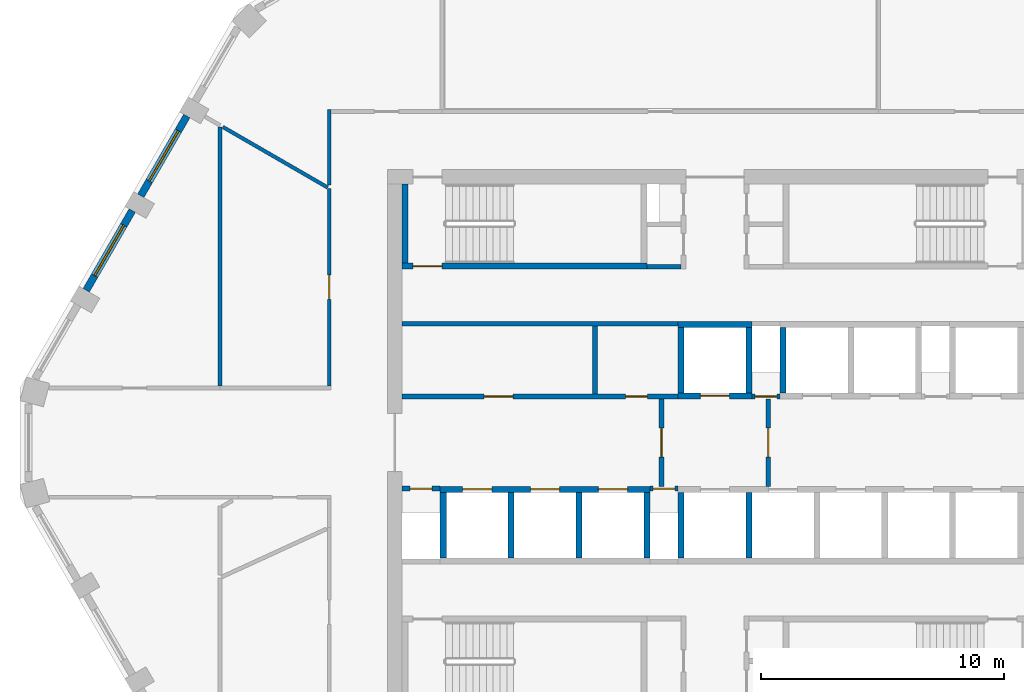
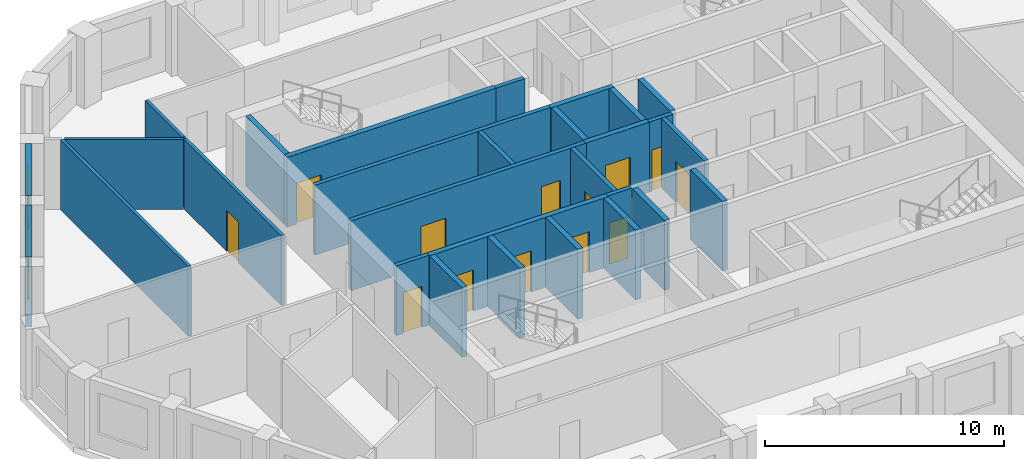
# One storey, part 3 of 10: 29 walls, 13 doors, 2 windows, 15 openings.
"""IFC4 building model written with IfcOpenShell, lengths in metres."""

from ifc_helpers import new_model, si_unit, direction, frame, frame_2d, origin, place, context, subcontext, project, spatial, polyline, rectangle, outline, extrude, material, layer, layer_set, type_object, element, fill, save


model = new_model("IFC4")

# Units and contexts
model_context = context("Model", 3, precision=1e-05, world=origin(), true_north=direction((0.0, 1.0)))
body_context = subcontext(model_context, "Body", "Model", "MODEL_VIEW")
ifc_project = project(units=[si_unit("LENGTHUNIT", "METRE"), si_unit("AREAUNIT", "SQUARE_METRE"), si_unit("VOLUMEUNIT", "CUBIC_METRE"), si_unit("PLANEANGLEUNIT", "RADIAN"), si_unit("MASSUNIT", "GRAM", prefix="KILO")], contexts=[model_context])

# Site, building, storey
site_placement = place(None, origin())
site = spatial("IfcSite", under=ifc_project, at=site_placement, CompositionType="ELEMENT")
building_placement = place(site_placement, origin())
building = spatial("IfcBuilding", under=site, at=building_placement, Name="Dhurran Vertical Campus", CompositionType="ELEMENT")
storey_placement = place(building_placement, frame((0.0, 0.0, 239.10009765625)))
storey = spatial("IfcBuildingStorey", under=building, at=storey_placement, Name="L59", CompositionType="ELEMENT", Elevation=239.10009765625)

# Wall, opening, window
ifc_material_1 = material(Name="Precast concrete C50/60", Category="concrete")
ifc_layer_1 = layer(ifc_material_1, 0.300048828125)
ifc_layer_set_1 = layer_set([ifc_layer_1], Name="Precast concrete C50/60")
wall_type_1 = type_object("IfcWallType", Name="Precast spandrel wall 300", PredefinedType="SOLIDWALL", material=ifc_layer_set_1)
wall_1_placement = place(storey_placement, frame((-21.769287109375, 13.462890625, 0.0), z_axis=(0.0, 0.0, 1.0), x_axis=(-0.499982058975, -0.866035761792, 0.0)))
wall_1 = element("IfcWall", 1, at=wall_1_placement, inside=storey, type_object=wall_type_1, Name="EW1 L59.27", PredefinedType="SOLIDWALL", context=body_context, shape_type="SweptSolid", body=[
    extrude(rectangle(XDim=3.799072265625, YDim=0.300048828125, at=frame_2d((1.8994140625, 0.0))), origin(), (0.0, 0.0, 1.0), 3.574951171875),
])
opening_1_placement = place(wall_1_placement, frame((0.699462890625, 0.0, 0.89990234375)))
opening_1 = element("IfcOpeningElement", 2, at=opening_1_placement, cuts=wall_1, Name="Opening WT1", PredefinedType="OPENING", context=body_context, shape_type="SweptSolid", body=[
    extrude(rectangle(XDim=2.39990234375, YDim=2.10009765625, at=frame_2d((1.199951171875, 1.050048828125))), frame((0.0, 0.159912109375, 0.0), z_axis=(0.0, -1.0, 0.0), x_axis=(1.0, 0.0, 0.0)), (0.0, 0.0, 1.0), 0.320068359375),
])
ifc_material_2 = material(Name="Aluminium frame with solar-control glass", Category="aluminium")
window_type = type_object("IfcWindowType", Name="Punched window 2400 x 2100", PartitioningType="SINGLE_PANEL", PredefinedType="WINDOW", material=ifc_material_2)
window_1_placement = place(opening_1_placement, origin())
window_1 = element("IfcWindow", 3, at=window_1_placement, inside=storey, type_object=window_type, Name="WT1 L59.27", OverallHeight=2.10009765625, OverallWidth=2.39990234375, PartitioningType="SINGLE_PANEL", PredefinedType="WINDOW", context=body_context, shape_type="SweptSolid", body=[
    extrude(rectangle(XDim=2.39990234375, YDim=2.10009765625, at=frame_2d((1.199951171875, 1.050048828125))), frame((0.0, 0.030029296875, 0.0), z_axis=(0.0, -1.0, 0.0), x_axis=(1.0, 0.0, 0.0)), (0.0, 0.0, 1.0), 0.06005859375),
])
fill(opening_1, window_1)

wall_2_placement = place(storey_placement, frame((-24.019287109375, 9.565673828125, 0.0), z_axis=(0.0, 0.0, 1.0), x_axis=(-0.499982058975, -0.866035761792, 0.0)))
wall_2 = element("IfcWall", 4, at=wall_2_placement, inside=storey, type_object=wall_type_1, Name="EW1 L59.28", PredefinedType="SOLIDWALL", context=body_context, shape_type="SweptSolid", body=[
    extrude(rectangle(XDim=3.799072265625, YDim=0.300048828125, at=frame_2d((1.8994140625, 0.0))), origin(), (0.0, 0.0, 1.0), 3.574951171875),
])
opening_2_placement = place(wall_2_placement, frame((0.699462890625, 0.0, 0.89990234375)))
opening_2 = element("IfcOpeningElement", 5, at=opening_2_placement, cuts=wall_2, Name="Opening WT1", PredefinedType="OPENING", context=body_context, shape_type="SweptSolid", body=[
    extrude(rectangle(XDim=2.39990234375, YDim=2.10009765625, at=frame_2d((1.199951171875, 1.050048828125))), frame((0.0, 0.159912109375, 0.0), z_axis=(0.0, -1.0, 0.0), x_axis=(1.0, 0.0, 0.0)), (0.0, 0.0, 1.0), 0.320068359375),
])
window_2_placement = place(opening_2_placement, origin())
window_2 = element("IfcWindow", 6, at=window_2_placement, inside=storey, type_object=window_type, Name="WT1 L59.28", OverallHeight=2.10009765625, OverallWidth=2.39990234375, PartitioningType="SINGLE_PANEL", PredefinedType="WINDOW", context=body_context, shape_type="SweptSolid", body=[
    extrude(rectangle(XDim=2.39990234375, YDim=2.10009765625, at=frame_2d((1.199951171875, 1.050048828125))), frame((0.0, 0.030029296875, 0.0), z_axis=(0.0, -1.0, 0.0), x_axis=(1.0, 0.0, 0.0)), (0.0, 0.0, 1.0), 0.06005859375),
])
fill(opening_2, window_2)

# Wall, opening, door
ifc_material_3 = material(Name="Fire-rated masonry blockwork", Category="masonry")
ifc_layer_2 = layer(ifc_material_3, 0.199951171875)
ifc_layer_set_2 = layer_set([ifc_layer_2], Name="Fire-rated masonry blockwork")
wall_type_2 = type_object("IfcWallType", Name="co-FIRE-PARTITION-200", PredefinedType="PARTITIONING", material=ifc_layer_set_2)
wall_3_placement = place(storey_placement, frame((-2.199951171875, -1.800048828125, 0.0), z_axis=(0.0, 0.0, 1.0), x_axis=(0.0, 1.0, 0.0)))
wall_3 = element("IfcWall", 7, at=wall_3_placement, inside=storey, type_object=wall_type_2, Name="Firefighting lobby wall W L59", PredefinedType="PARTITIONING", context=body_context, shape_type="SweptSolid", body=[
    extrude(rectangle(XDim=3.60009765625, YDim=0.199951171875, at=frame_2d((1.800048828125, 0.0))), origin(), (0.0, 0.0, 1.0), 3.574951171875),
])
opening_3_placement = place(wall_3_placement, frame((1.199951171875, 0.0, 0.0)))
opening_3 = element("IfcOpeningElement", 8, at=opening_3_placement, cuts=wall_3, Name="Opening FL1", PredefinedType="OPENING", context=body_context, shape_type="SweptSolid", body=[
    extrude(rectangle(XDim=1.199951171875, YDim=2.10009765625, at=frame_2d((0.60009765625, 1.050048828125))), frame((0.0, 0.10986328125, 0.0), z_axis=(0.0, -1.0, 0.0), x_axis=(1.0, 0.0, 0.0)), (0.0, 0.0, 1.0), 0.219970703125),
])
ifc_material_4 = material(Name="Fire-rated steel door set", Category="steel")
door_type_1 = type_object("IfcDoorType", Name="co-D-FFLOBBY 1200x2100", OperationType="SINGLE_SWING_LEFT", PredefinedType="DOOR", material=ifc_material_4)
door_1_placement = place(opening_3_placement, origin())
door_1 = element("IfcDoor", 9, at=door_1_placement, inside=storey, type_object=door_type_1, Name="Firefighting lobby door W L59", OperationType="SINGLE_SWING_LEFT", OverallHeight=2.10009765625, OverallWidth=1.199951171875, PredefinedType="DOOR", context=body_context, shape_type="SweptSolid", body=[
    extrude(rectangle(XDim=1.199951171875, YDim=2.10009765625, at=frame_2d((0.60009765625, 1.050048828125))), frame((0.0, 0.02490234375, 0.0), z_axis=(0.0, -1.0, 0.0), x_axis=(1.0, 0.0, 0.0)), (0.0, 0.0, 1.0), 0.050048828125),
])
fill(opening_3, door_1)

wall_4_placement = place(storey_placement, frame((2.199951171875, -1.800048828125, 0.0), z_axis=(0.0, 0.0, 1.0), x_axis=(0.0, 1.0, 0.0)))
wall_4 = element("IfcWall", 10, at=wall_4_placement, inside=storey, type_object=wall_type_2, Name="Firefighting lobby wall E L59", PredefinedType="PARTITIONING", context=body_context, shape_type="SweptSolid", body=[
    extrude(rectangle(XDim=3.60009765625, YDim=0.199951171875, at=frame_2d((1.800048828125, 0.0))), origin(), (0.0, 0.0, 1.0), 3.574951171875),
])
opening_4_placement = place(wall_4_placement, frame((1.199951171875, 0.0, 0.0)))
opening_4 = element("IfcOpeningElement", 11, at=opening_4_placement, cuts=wall_4, Name="Opening FL2", PredefinedType="OPENING", context=body_context, shape_type="SweptSolid", body=[
    extrude(rectangle(XDim=1.199951171875, YDim=2.10009765625, at=frame_2d((0.60009765625, 1.050048828125))), frame((0.0, 0.10986328125, 0.0), z_axis=(0.0, -1.0, 0.0), x_axis=(1.0, 0.0, 0.0)), (0.0, 0.0, 1.0), 0.219970703125),
])
door_2_placement = place(opening_4_placement, origin())
door_2 = element("IfcDoor", 12, at=door_2_placement, inside=storey, type_object=door_type_1, Name="Firefighting lobby door E L59", OperationType="SINGLE_SWING_LEFT", OverallHeight=2.10009765625, OverallWidth=1.199951171875, PredefinedType="DOOR", context=body_context, shape_type="SweptSolid", body=[
    extrude(rectangle(XDim=1.199951171875, YDim=2.10009765625, at=frame_2d((0.60009765625, 1.050048828125))), frame((0.0, 0.02490234375, 0.0), z_axis=(0.0, -1.0, 0.0), x_axis=(1.0, 0.0, 0.0)), (0.0, 0.0, 1.0), 0.050048828125),
])
fill(opening_4, door_2)

# Walls
wall_5_placement = place(storey_placement, frame((-2.800048828125, 7.25, 0.0), z_axis=(0.0, 0.0, 1.0), x_axis=(1.0, 0.0, 0.0)))
element("IfcWall", 13, at=wall_5_placement, inside=storey, type_object=wall_type_2, Name="Core partition sl-NW-S L59", PredefinedType="PARTITIONING", context=body_context, shape_type="SweptSolid", body=[
    extrude(rectangle(XDim=1.400146484375, YDim=0.199951171875, at=frame_2d((0.7001953125, 0.0))), origin(), (0.0, 0.0, 1.0), 3.574951171875),
])
wall_6_placement = place(storey_placement, frame((-4.9375, 2.0, 0.0), z_axis=(0.0, 0.0, 1.0), x_axis=(0.0, 1.0, 0.0)))
element("IfcWall", 14, at=wall_6_placement, inside=storey, type_object=wall_type_2, Name="Core partition fr-N0-cut0 L59", PredefinedType="PARTITIONING", context=body_context, shape_type="SweptSolid", body=[
    extrude(rectangle(XDim=2.800048828125, YDim=0.199951171875, at=frame_2d((1.39990234375, 0.0))), origin(), (0.0, 0.0, 1.0), 3.574951171875),
])

# Wall, openings, doors
wall_7_placement = place(storey_placement, frame((-12.89990234375, 1.89990234375, 0.0), z_axis=(0.0, 0.0, 1.0), x_axis=(1.0, 0.0, 0.0)))
wall_7 = element("IfcWall", 15, at=wall_7_placement, inside=storey, type_object=wall_type_2, Name="Core partition fr-N0-f L59", PredefinedType="PARTITIONING", context=body_context, shape_type="SweptSolid", body=[
    extrude(rectangle(XDim=11.375, YDim=0.199951171875, at=frame_2d((5.6875, 0.0))), origin(), (0.0, 0.0, 1.0), 3.574951171875),
])
opening_5_placement = place(wall_7_placement, frame((3.381103515625, 0.0, 0.0)))
opening_5 = element("IfcOpeningElement", 16, at=opening_5_placement, cuts=wall_7, Name="Opening T17-C8", PredefinedType="OPENING", context=body_context, shape_type="SweptSolid", body=[
    extrude(rectangle(XDim=1.199951171875, YDim=2.10009765625, at=frame_2d((0.60009765625, 1.050048828125))), frame((0.0, 0.10986328125, 0.0), z_axis=(0.0, -1.0, 0.0), x_axis=(1.0, 0.0, 0.0)), (0.0, 0.0, 1.0), 0.219970703125),
])
opening_6_placement = place(wall_7_placement, frame((9.21875, 0.0, 0.0)))
opening_6 = element("IfcOpeningElement", 17, at=opening_6_placement, cuts=wall_7, Name="Opening T17-C9", PredefinedType="OPENING", context=body_context, shape_type="SweptSolid", body=[
    extrude(rectangle(XDim=0.89990234375, YDim=2.10009765625, at=frame_2d((0.449951171875, 1.050048828125))), frame((0.0, 0.10986328125, 0.0), z_axis=(0.0, -1.0, 0.0), x_axis=(1.0, 0.0, 0.0)), (0.0, 0.0, 1.0), 0.219970703125),
])
ifc_material_5 = material(Name="Fire-rated timber door set", Category="wood")
door_type_2 = type_object("IfcDoorType", Name="co-D-ROOM 900x2100", OperationType="SINGLE_SWING_LEFT", PredefinedType="DOOR", material=ifc_material_5)
door_3_placement = place(opening_6_placement, origin())
door_3 = element("IfcDoor", 18, at=door_3_placement, inside=storey, type_object=door_type_2, Name="Cleaner's store door L59", OperationType="SINGLE_SWING_LEFT", OverallHeight=2.10009765625, OverallWidth=0.89990234375, PredefinedType="DOOR", context=body_context, shape_type="SweptSolid", body=[
    extrude(rectangle(XDim=0.89990234375, YDim=2.10009765625, at=frame_2d((0.449951171875, 1.050048828125))), frame((0.0, 0.02490234375, 0.0), z_axis=(0.0, -1.0, 0.0), x_axis=(1.0, 0.0, 0.0)), (0.0, 0.0, 1.0), 0.050048828125),
])
fill(opening_6, door_3)
ifc_material_6 = material(Name="Fire-rated steel door set", Category="steel")
door_type_3 = type_object("IfcDoorType", Name="co-D-ROOM-PASSAGE 1200x2100", OperationType="SINGLE_SWING_RIGHT", PredefinedType="DOOR", material=ifc_material_6)
door_4_placement = place(opening_5_placement, origin())
door_4 = element("IfcDoor", 19, at=door_4_placement, inside=storey, type_object=door_type_3, Name="Print room door L59", OperationType="SINGLE_SWING_RIGHT", OverallHeight=2.10009765625, OverallWidth=1.199951171875, PredefinedType="DOOR", context=body_context, shape_type="SweptSolid", body=[
    extrude(rectangle(XDim=1.199951171875, YDim=2.10009765625, at=frame_2d((0.60009765625, 1.050048828125))), frame((0.0, 0.02490234375, 0.0), z_axis=(0.0, -1.0, 0.0), x_axis=(1.0, 0.0, 0.0)), (0.0, 0.0, 1.0), 0.050048828125),
])
fill(opening_5, door_4)

# Wall
wall_8_placement = place(storey_placement, frame((-12.89990234375, 4.89990234375, 0.0), z_axis=(0.0, 0.0, 1.0), x_axis=(1.0, 0.0, 0.0)))
element("IfcWall", 20, at=wall_8_placement, inside=storey, type_object=wall_type_2, Name="Core partition fr-N0-b L59", PredefinedType="PARTITIONING", context=body_context, shape_type="SweptSolid", body=[
    extrude(rectangle(XDim=11.375, YDim=0.199951171875, at=frame_2d((5.6875, 0.0))), origin(), (0.0, 0.0, 1.0), 3.574951171875),
])

# Wall, opening, door
wall_9_placement = place(storey_placement, frame((1.52490234375, 1.89990234375, 0.0), z_axis=(0.0, 0.0, 1.0), x_axis=(1.0, 0.0, 0.0)))
wall_9 = element("IfcWall", 21, at=wall_9_placement, inside=storey, type_object=wall_type_2, Name="Core partition fr-N1-f L59", PredefinedType="PARTITIONING", context=body_context, shape_type="SweptSolid", body=[
    extrude(rectangle(XDim=1.150146484375, YDim=0.199951171875, at=frame_2d((0.5751953125, 0.0))), origin(), (0.0, 0.0, 1.0), 3.574951171875),
])
opening_7_placement = place(wall_9_placement, frame((0.125, 0.0, 0.0)))
opening_7 = element("IfcOpeningElement", 22, at=opening_7_placement, cuts=wall_9, Name="Opening T17-C10", PredefinedType="OPENING", context=body_context, shape_type="SweptSolid", body=[
    extrude(rectangle(XDim=0.89990234375, YDim=2.10009765625, at=frame_2d((0.449951171875, 1.050048828125))), frame((0.0, 0.10986328125, 0.0), z_axis=(0.0, -1.0, 0.0), x_axis=(1.0, 0.0, 0.0)), (0.0, 0.0, 1.0), 0.219970703125),
])
door_5_placement = place(opening_7_placement, origin())
door_5 = element("IfcDoor", 23, at=door_5_placement, inside=storey, type_object=door_type_2, Name="Communications riser door L59", OperationType="SINGLE_SWING_LEFT", OverallHeight=2.10009765625, OverallWidth=0.89990234375, PredefinedType="DOOR", context=body_context, shape_type="SweptSolid", body=[
    extrude(rectangle(XDim=0.89990234375, YDim=2.10009765625, at=frame_2d((0.449951171875, 1.050048828125))), frame((0.0, 0.02490234375, 0.0), z_axis=(0.0, -1.0, 0.0), x_axis=(1.0, 0.0, 0.0)), (0.0, 0.0, 1.0), 0.050048828125),
])
fill(opening_7, door_5)

wall_10_placement = place(storey_placement, frame((-12.89990234375, -1.89990234375, 0.0), z_axis=(0.0, 0.0, 1.0), x_axis=(1.0, 0.0, 0.0)))
wall_10 = element("IfcWall", 24, at=wall_10_placement, inside=storey, type_object=wall_type_2, Name="Core partition fr-S0-f L59", PredefinedType="PARTITIONING", context=body_context, shape_type="SweptSolid", body=[
    extrude(rectangle(XDim=1.574951171875, YDim=0.199951171875, at=frame_2d((0.78759765625, 0.0))), origin(), (0.0, 0.0, 1.0), 3.574951171875),
])
opening_8_placement = place(wall_10_placement, frame((0.33740234375, 0.0, 0.0)))
opening_8 = element("IfcOpeningElement", 25, at=opening_8_placement, cuts=wall_10, Name="Opening T17-C12", PredefinedType="OPENING", context=body_context, shape_type="SweptSolid", body=[
    extrude(rectangle(XDim=0.89990234375, YDim=2.10009765625, at=frame_2d((0.449951171875, 1.050048828125))), frame((0.0, 0.10986328125, 0.0), z_axis=(0.0, -1.0, 0.0), x_axis=(1.0, 0.0, 0.0)), (0.0, 0.0, 1.0), 0.219970703125),
])
door_6_placement = place(opening_8_placement, origin())
door_6 = element("IfcDoor", 26, at=door_6_placement, inside=storey, type_object=door_type_2, Name="Electrical riser door L59", OperationType="SINGLE_SWING_LEFT", OverallHeight=2.10009765625, OverallWidth=0.89990234375, PredefinedType="DOOR", context=body_context, shape_type="SweptSolid", body=[
    extrude(rectangle(XDim=0.89990234375, YDim=2.10009765625, at=frame_2d((0.449951171875, 1.050048828125))), frame((0.0, 0.02490234375, 0.0), z_axis=(0.0, -1.0, 0.0), x_axis=(1.0, 0.0, 0.0)), (0.0, 0.0, 1.0), 0.050048828125),
])
fill(opening_8, door_6)

wall_11_placement = place(storey_placement, frame((-2.675048828125, -1.89990234375, 0.0), z_axis=(0.0, 0.0, 1.0), x_axis=(1.0, 0.0, 0.0)))
wall_11 = element("IfcWall", 27, at=wall_11_placement, inside=storey, type_object=wall_type_2, Name="Core partition fr-S1-f L59", PredefinedType="PARTITIONING", context=body_context, shape_type="SweptSolid", body=[
    extrude(rectangle(XDim=1.150146484375, YDim=0.199951171875, at=frame_2d((0.5751953125, 0.0))), origin(), (0.0, 0.0, 1.0), 3.574951171875),
])
opening_9_placement = place(wall_11_placement, frame((0.125, 0.0, 0.0)))
opening_9 = element("IfcOpeningElement", 28, at=opening_9_placement, cuts=wall_11, Name="Opening T17-C13", PredefinedType="OPENING", context=body_context, shape_type="SweptSolid", body=[
    extrude(rectangle(XDim=0.89990234375, YDim=2.10009765625, at=frame_2d((0.449951171875, 1.050048828125))), frame((0.0, 0.10986328125, 0.0), z_axis=(0.0, -1.0, 0.0), x_axis=(1.0, 0.0, 0.0)), (0.0, 0.0, 1.0), 0.219970703125),
])
door_7_placement = place(opening_9_placement, origin())
door_7 = element("IfcDoor", 29, at=door_7_placement, inside=storey, type_object=door_type_2, Name="Communications riser door L59", OperationType="SINGLE_SWING_LEFT", OverallHeight=2.10009765625, OverallWidth=0.89990234375, PredefinedType="DOOR", context=body_context, shape_type="SweptSolid", body=[
    extrude(rectangle(XDim=0.89990234375, YDim=2.10009765625, at=frame_2d((0.449951171875, 1.050048828125))), frame((0.0, 0.02490234375, 0.0), z_axis=(0.0, -1.0, 0.0), x_axis=(1.0, 0.0, 0.0)), (0.0, 0.0, 1.0), 0.050048828125),
])
fill(opening_9, door_7)

ifc_material_7 = material(Name="Concrete C50/60", Category="concrete")
ifc_layer_3 = layer(ifc_material_7, 0.25)
ifc_layer_set_3 = layer_set([ifc_layer_3], Name="Concrete C50/60")
wall_type_3 = type_object("IfcWallType", Name="co-SHAFT-FRONT-250", PredefinedType="SHEAR", material=ifc_layer_set_3)
wall_12_placement = place(storey_placement, frame((-1.52490234375, 1.925048828125, 0.0), z_axis=(0.0, 0.0, 1.0), x_axis=(1.0, 0.0, 0.0)))
wall_12 = element("IfcWall", 30, at=wall_12_placement, inside=storey, type_object=wall_type_3, Name="Lift landing wall N L59", PredefinedType="SHEAR", context=body_context, shape_type="SweptSolid", body=[
    extrude(rectangle(XDim=3.0498046875, YDim=0.25, at=frame_2d((1.52490234375, 0.0))), origin(), (0.0, 0.0, 1.0), 3.574951171875),
])
opening_10_placement = place(wall_12_placement, frame((0.925048828125, 0.0, 0.0)))
opening_10 = element("IfcOpeningElement", 31, at=opening_10_placement, cuts=wall_12, Name="Opening LD", PredefinedType="OPENING", context=body_context, shape_type="SweptSolid", body=[
    extrude(rectangle(XDim=1.199951171875, YDim=2.10009765625, at=frame_2d((0.60009765625, 1.050048828125))), frame((0.0, 0.135009765625, 0.0), z_axis=(0.0, -1.0, 0.0), x_axis=(1.0, 0.0, 0.0)), (0.0, 0.0, 1.0), 0.27001953125),
])
ifc_material_8 = material(Name="Stainless steel landing door", Category="steel")
door_type_4 = type_object("IfcDoorType", Name="co-D-LANDING 1200x2100", OperationType="DOUBLE_DOOR_SLIDING", PredefinedType="DOOR", material=ifc_material_8)
door_8_placement = place(opening_10_placement, origin())
door_8 = element("IfcDoor", 32, at=door_8_placement, inside=storey, type_object=door_type_4, Name="Landing door FF1 L59", OperationType="DOUBLE_DOOR_SLIDING", OverallHeight=2.10009765625, OverallWidth=1.199951171875, PredefinedType="DOOR", context=body_context, shape_type="SweptSolid", body=[
    extrude(rectangle(XDim=1.199951171875, YDim=2.10009765625, at=frame_2d((0.60009765625, 1.050048828125))), frame((0.0, 0.02490234375, 0.0), z_axis=(0.0, -1.0, 0.0), x_axis=(1.0, 0.0, 0.0)), (0.0, 0.0, 1.0), 0.050048828125),
])
fill(opening_10, door_8)

# Wall, openings, doors
wall_13_placement = place(storey_placement, frame((-11.324951171875, -1.925048828125, 0.0), z_axis=(0.0, 0.0, 1.0), x_axis=(1.0, 0.0, 0.0)))
wall_13 = element("IfcWall", 33, at=wall_13_placement, inside=storey, type_object=wall_type_3, Name="Lift landing wall S L59", PredefinedType="SHEAR", context=body_context, shape_type="SweptSolid", body=[
    extrude(rectangle(XDim=8.64990234375, YDim=0.25, at=frame_2d((4.324951171875, 0.0))), origin(), (0.0, 0.0, 1.0), 3.574951171875),
])
opening_11_placement = place(wall_13_placement, frame((0.925048828125, 0.0, 0.0)))
opening_11 = element("IfcOpeningElement", 34, at=opening_11_placement, cuts=wall_13, Name="Opening LD", PredefinedType="OPENING", context=body_context, shape_type="SweptSolid", body=[
    extrude(rectangle(XDim=1.199951171875, YDim=2.10009765625, at=frame_2d((0.60009765625, 1.050048828125))), frame((0.0, 0.135009765625, 0.0), z_axis=(0.0, -1.0, 0.0), x_axis=(1.0, 0.0, 0.0)), (0.0, 0.0, 1.0), 0.27001953125),
])
opening_12_placement = place(wall_13_placement, frame((3.72509765625, 0.0, 0.0)))
opening_12 = element("IfcOpeningElement", 35, at=opening_12_placement, cuts=wall_13, Name="Opening LD", PredefinedType="OPENING", context=body_context, shape_type="SweptSolid", body=[
    extrude(rectangle(XDim=1.199951171875, YDim=2.10009765625, at=frame_2d((0.60009765625, 1.050048828125))), frame((0.0, 0.135009765625, 0.0), z_axis=(0.0, -1.0, 0.0), x_axis=(1.0, 0.0, 0.0)), (0.0, 0.0, 1.0), 0.27001953125),
])
opening_13_placement = place(wall_13_placement, frame((6.52490234375, 0.0, 0.0)))
opening_13 = element("IfcOpeningElement", 36, at=opening_13_placement, cuts=wall_13, Name="Opening LD", PredefinedType="OPENING", context=body_context, shape_type="SweptSolid", body=[
    extrude(rectangle(XDim=1.199951171875, YDim=2.10009765625, at=frame_2d((0.60009765625, 1.050048828125))), frame((0.0, 0.135009765625, 0.0), z_axis=(0.0, -1.0, 0.0), x_axis=(1.0, 0.0, 0.0)), (0.0, 0.0, 1.0), 0.27001953125),
])
door_9_placement = place(opening_11_placement, origin())
door_9 = element("IfcDoor", 37, at=door_9_placement, inside=storey, type_object=door_type_4, Name="Landing door HR3 L59", OperationType="DOUBLE_DOOR_SLIDING", OverallHeight=2.10009765625, OverallWidth=1.199951171875, PredefinedType="DOOR", context=body_context, shape_type="SweptSolid", body=[
    extrude(rectangle(XDim=1.199951171875, YDim=2.10009765625, at=frame_2d((0.60009765625, 1.050048828125))), frame((0.0, 0.02490234375, 0.0), z_axis=(0.0, -1.0, 0.0), x_axis=(1.0, 0.0, 0.0)), (0.0, 0.0, 1.0), 0.050048828125),
])
fill(opening_11, door_9)
door_10_placement = place(opening_12_placement, origin())
door_10 = element("IfcDoor", 38, at=door_10_placement, inside=storey, type_object=door_type_4, Name="Landing door HR4 L59", OperationType="DOUBLE_DOOR_SLIDING", OverallHeight=2.10009765625, OverallWidth=1.199951171875, PredefinedType="DOOR", context=body_context, shape_type="SweptSolid", body=[
    extrude(rectangle(XDim=1.199951171875, YDim=2.10009765625, at=frame_2d((0.60009765625, 1.050048828125))), frame((0.0, 0.02490234375, 0.0), z_axis=(0.0, -1.0, 0.0), x_axis=(1.0, 0.0, 0.0)), (0.0, 0.0, 1.0), 0.050048828125),
])
fill(opening_12, door_10)
door_11_placement = place(opening_13_placement, origin())
door_11 = element("IfcDoor", 39, at=door_11_placement, inside=storey, type_object=door_type_4, Name="Landing door HR5 L59", OperationType="DOUBLE_DOOR_SLIDING", OverallHeight=2.10009765625, OverallWidth=1.199951171875, PredefinedType="DOOR", context=body_context, shape_type="SweptSolid", body=[
    extrude(rectangle(XDim=1.199951171875, YDim=2.10009765625, at=frame_2d((0.60009765625, 1.050048828125))), frame((0.0, 0.02490234375, 0.0), z_axis=(0.0, -1.0, 0.0), x_axis=(1.0, 0.0, 0.0)), (0.0, 0.0, 1.0), 0.050048828125),
])
fill(opening_13, door_11)

# Walls
ifc_material_9 = material(Name="Concrete C50/60", Category="concrete")
ifc_layer_4 = layer(ifc_material_9, 0.25)
ifc_layer_set_4 = layer_set([ifc_layer_4], Name="Concrete C50/60")
wall_type_4 = type_object("IfcWallType", Name="co-SHAFT-MASS-250", PredefinedType="SHEAR", material=ifc_layer_set_4)
wall_14_placement = place(storey_placement, origin())
element("IfcWall", 40, at=wall_14_placement, inside=storey, type_object=wall_type_4, Name="Lift shaft wall N L59 1", PredefinedType="SHEAR", context=body_context, shape_type="SweptSolid", body=[
    extrude(outline(polyline([(-1.52490234375, 4.75), (1.52490234375, 4.75), (1.52490234375, 5.0), (-1.52490234375, 5.0), (-1.52490234375, 4.75)])), origin(), (0.0, 0.0, 1.0), 3.574951171875),
])
wall_15_placement = place(storey_placement, origin())
element("IfcWall", 41, at=wall_15_placement, inside=storey, type_object=wall_type_4, Name="Lift shaft wall N L59 4", PredefinedType="SHEAR", context=body_context, shape_type="SweptSolid", body=[
    extrude(outline(polyline([(-1.52490234375, 2.050048828125), (-1.27490234375, 2.050048828125), (-1.27490234375, 4.75), (-1.52490234375, 4.75), (-1.52490234375, 2.050048828125)])), origin(), (0.0, 0.0, 1.0), 3.574951171875),
])
wall_16_placement = place(storey_placement, origin())
element("IfcWall", 42, at=wall_16_placement, inside=storey, type_object=wall_type_4, Name="Lift shaft wall N L59 5", PredefinedType="SHEAR", context=body_context, shape_type="SweptSolid", body=[
    extrude(outline(polyline([(1.27490234375, 2.050048828125), (1.52490234375, 2.050048828125), (1.52490234375, 4.75), (1.27490234375, 4.75), (1.27490234375, 2.050048828125)])), origin(), (0.0, 0.0, 1.0), 3.574951171875),
])
wall_17_placement = place(storey_placement, origin())
element("IfcWall", 43, at=wall_17_placement, inside=storey, type_object=wall_type_4, Name="Lift shaft wall N L59 6", PredefinedType="SHEAR", context=body_context, shape_type="SweptSolid", body=[
    extrude(outline(polyline([(2.675048828125, 2.050048828125), (2.925048828125, 2.050048828125), (2.925048828125, 4.75), (2.675048828125, 4.75), (2.675048828125, 2.050048828125)])), origin(), (0.0, 0.0, 1.0), 3.574951171875),
])
wall_18_placement = place(storey_placement, origin())
element("IfcWall", 44, at=wall_18_placement, inside=storey, type_object=wall_type_4, Name="Lift shaft wall S L59 3", PredefinedType="SHEAR", context=body_context, shape_type="SweptSolid", body=[
    extrude(outline(polyline([(-11.324951171875, -4.75), (-11.074951171875, -4.75), (-11.074951171875, -2.050048828125), (-11.324951171875, -2.050048828125), (-11.324951171875, -4.75)])), origin(), (0.0, 0.0, 1.0), 3.574951171875),
])
wall_19_placement = place(storey_placement, origin())
element("IfcWall", 45, at=wall_19_placement, inside=storey, type_object=wall_type_4, Name="Lift shaft wall S L59 4", PredefinedType="SHEAR", context=body_context, shape_type="SweptSolid", body=[
    extrude(outline(polyline([(-8.52490234375, -4.75), (-8.27490234375, -4.75), (-8.27490234375, -2.050048828125), (-8.52490234375, -2.050048828125), (-8.52490234375, -4.75)])), origin(), (0.0, 0.0, 1.0), 3.574951171875),
])
wall_20_placement = place(storey_placement, origin())
element("IfcWall", 46, at=wall_20_placement, inside=storey, type_object=wall_type_4, Name="Lift shaft wall S L59 5", PredefinedType="SHEAR", context=body_context, shape_type="SweptSolid", body=[
    extrude(outline(polyline([(-5.72509765625, -4.75), (-5.47509765625, -4.75), (-5.47509765625, -2.050048828125), (-5.72509765625, -2.050048828125), (-5.72509765625, -4.75)])), origin(), (0.0, 0.0, 1.0), 3.574951171875),
])
wall_21_placement = place(storey_placement, origin())
element("IfcWall", 47, at=wall_21_placement, inside=storey, type_object=wall_type_4, Name="Lift shaft wall S L59 6", PredefinedType="SHEAR", context=body_context, shape_type="SweptSolid", body=[
    extrude(outline(polyline([(-2.925048828125, -4.75), (-2.675048828125, -4.75), (-2.675048828125, -2.050048828125), (-2.925048828125, -2.050048828125), (-2.925048828125, -4.75)])), origin(), (0.0, 0.0, 1.0), 3.574951171875),
])
wall_22_placement = place(storey_placement, origin())
element("IfcWall", 48, at=wall_22_placement, inside=storey, type_object=wall_type_4, Name="Lift shaft wall S L59 7", PredefinedType="SHEAR", context=body_context, shape_type="SweptSolid", body=[
    extrude(outline(polyline([(-1.52490234375, -4.75), (-1.27490234375, -4.75), (-1.27490234375, -2.050048828125), (-1.52490234375, -2.050048828125), (-1.52490234375, -4.75)])), origin(), (0.0, 0.0, 1.0), 3.574951171875),
])
wall_23_placement = place(storey_placement, origin())
element("IfcWall", 49, at=wall_23_placement, inside=storey, type_object=wall_type_4, Name="Lift shaft wall S L59 8", PredefinedType="SHEAR", context=body_context, shape_type="SweptSolid", body=[
    extrude(outline(polyline([(1.27490234375, -4.75), (1.52490234375, -4.75), (1.52490234375, -2.050048828125), (1.27490234375, -2.050048828125), (1.27490234375, -4.75)])), origin(), (0.0, 0.0, 1.0), 3.574951171875),
])

# Wall, opening, door
ifc_material_10 = material(Name="Concrete C40/50", Category="concrete")
ifc_layer_5 = layer(ifc_material_10, 0.25)
ifc_layer_set_5 = layer_set([ifc_layer_5], Name="Concrete C40/50")
wall_type_5 = type_object("IfcWallType", Name="co-STAIR-WALL-250", PredefinedType="SHEAR", material=ifc_layer_set_5)
wall_24_placement = place(storey_placement, frame((-12.89990234375, 7.27490234375, 0.0), z_axis=(0.0, 0.0, 1.0), x_axis=(1.0, 0.0, 0.0)))
wall_24 = element("IfcWall", 50, at=wall_24_placement, inside=storey, type_object=wall_type_5, Name="Stair ST1 enclosure wall L59", PredefinedType="SHEAR", context=body_context, shape_type="SweptSolid", body=[
    extrude(rectangle(XDim=10.099853515625, YDim=0.25, at=frame_2d((5.0498046875, 0.0))), origin(), (0.0, 0.0, 1.0), 3.574951171875),
])
opening_14_placement = place(wall_24_placement, frame((0.449951171875, 0.0, 0.0)))
opening_14 = element("IfcOpeningElement", 51, at=opening_14_placement, cuts=wall_24, Name="Opening SD1", PredefinedType="OPENING", context=body_context, shape_type="SweptSolid", body=[
    extrude(rectangle(XDim=1.199951171875, YDim=2.10009765625, at=frame_2d((0.60009765625, 1.050048828125))), frame((0.0, 0.135009765625, 0.0), z_axis=(0.0, -1.0, 0.0), x_axis=(1.0, 0.0, 0.0)), (0.0, 0.0, 1.0), 0.27001953125),
])
ifc_material_11 = material(Name="Fire-rated steel door set", Category="steel")
door_type_5 = type_object("IfcDoorType", Name="co-D-STAIR 1200x2100", OperationType="SINGLE_SWING_LEFT", PredefinedType="DOOR", material=ifc_material_11)
door_12_placement = place(opening_14_placement, origin())
door_12 = element("IfcDoor", 52, at=door_12_placement, inside=storey, type_object=door_type_5, Name="Stair ST1 door L59", OperationType="SINGLE_SWING_LEFT", OverallHeight=2.10009765625, OverallWidth=1.199951171875, PredefinedType="DOOR", context=body_context, shape_type="SweptSolid", body=[
    extrude(rectangle(XDim=1.199951171875, YDim=2.10009765625, at=frame_2d((0.60009765625, 1.050048828125))), frame((0.0, 0.02490234375, 0.0), z_axis=(0.0, -1.0, 0.0), x_axis=(1.0, 0.0, 0.0)), (0.0, 0.0, 1.0), 0.050048828125),
])
fill(opening_14, door_12)

# Wall
wall_25_placement = place(storey_placement, frame((-12.77490234375, 7.39990234375, 0.0), z_axis=(0.0, 0.0, 1.0), x_axis=(0.0, 1.0, 0.0)))
element("IfcWall", 53, at=wall_25_placement, inside=storey, type_object=wall_type_5, Name="Stair ST1 enclosure wall L59", PredefinedType="SHEAR", context=body_context, shape_type="SweptSolid", body=[
    extrude(rectangle(XDim=3.25, YDim=0.25, at=frame_2d((1.625, 0.0))), origin(), (0.0, 0.0, 1.0), 3.574951171875),
])

# Wall, opening, door
ifc_material_12 = material(Name="Gypsum board corridor wall on steel studs", Category="steel")
ifc_layer_6 = layer(ifc_material_12, 0.14990234375)
ifc_layer_set_6 = layer_set([ifc_layer_6], Name="Gypsum board corridor wall on steel studs")
wall_type_6 = type_object("IfcWallType", Name="fl-CW-150 corridor wall", PredefinedType="PARTITIONING", material=ifc_layer_set_6)
wall_26_placement = place(storey_placement, frame((-15.89990234375, 10.47900390625, 0.0), z_axis=(0.0, 0.0, 1.0), x_axis=(0.0, -1.0, 0.0)))
wall_26 = element("IfcWall", 54, at=wall_26_placement, inside=storey, type_object=wall_type_6, Name="Partition 59-18", PredefinedType="PARTITIONING", context=body_context, shape_type="SweptSolid", body=[
    extrude(rectangle(XDim=8.154052734375, YDim=0.14990234375, at=frame_2d((4.0771484375, 0.0))), origin(), (0.0, 0.0, 1.0), 3.574951171875),
])
opening_15_placement = place(wall_26_placement, frame((3.576904296875, 0.0, 0.0)))
opening_15 = element("IfcOpeningElement", 55, at=opening_15_placement, cuts=wall_26, Name="Opening T17.04", PredefinedType="OPENING", context=body_context, shape_type="SweptSolid", body=[
    extrude(rectangle(XDim=1.0, YDim=2.10009765625, at=frame_2d((0.5, 1.050048828125))), frame((0.0, 0.0849609375, 0.0), z_axis=(0.0, -1.0, 0.0), x_axis=(1.0, 0.0, 0.0)), (0.0, 0.0, 1.0), 0.169921875),
])
ifc_material_13 = material(Name="Solid-core timber door set, fire-rated", Category="wood")
door_type_6 = type_object("IfcDoorType", Name="fl-D-1000x2100", OperationType="SINGLE_SWING_LEFT", PredefinedType="DOOR", material=ifc_material_13)
door_13_placement = place(opening_15_placement, origin())
door_13 = element("IfcDoor", 56, at=door_13_placement, inside=storey, type_object=door_type_6, Name="Door 59.04", OperationType="SINGLE_SWING_LEFT", OverallHeight=2.10009765625, OverallWidth=1.0, PredefinedType="DOOR", context=body_context, shape_type="SweptSolid", body=[
    extrude(rectangle(XDim=1.0, YDim=2.10009765625, at=frame_2d((0.5, 1.050048828125))), frame((0.0, 0.02490234375, 0.0), z_axis=(0.0, -1.0, 0.0), x_axis=(1.0, 0.0, 0.0)), (0.0, 0.0, 1.0), 0.050048828125),
])
fill(opening_15, door_13)

# Walls
wall_27_placement = place(storey_placement, frame((-15.89990234375, 13.72509765625, 0.0), z_axis=(0.0, 0.0, 1.0), x_axis=(0.0, -1.0, 0.0)))
element("IfcWall", 57, at=wall_27_placement, inside=storey, type_object=wall_type_6, Name="Partition 59-19", PredefinedType="PARTITIONING", context=body_context, shape_type="SweptSolid", body=[
    extrude(rectangle(XDim=3.1162109375, YDim=0.14990234375, at=frame_2d((1.55810546875, 0.0))), origin(), (0.0, 0.0, 1.0), 3.574951171875),
])
ifc_material_14 = material(Name="Gypsum board partition on steel studs", Category="steel")
ifc_layer_7 = layer(ifc_material_14, 0.14990234375)
ifc_layer_set_7 = layer_set([ifc_layer_7], Name="Gypsum board partition on steel studs")
wall_type_7 = type_object("IfcWallType", Name="fl-PW-150 fixed partition", PredefinedType="PARTITIONING", material=ifc_layer_set_7)
wall_28_placement = place(storey_placement, frame((-20.39990234375, 13.001953125, 0.0), z_axis=(0.0, 0.0, 1.0), x_axis=(0.0, -1.0, 0.0)))
element("IfcWall", 58, at=wall_28_placement, inside=storey, type_object=wall_type_7, Name="Partition 59-10", PredefinedType="PARTITIONING", context=body_context, shape_type="SweptSolid", body=[
    extrude(rectangle(XDim=10.677001953125, YDim=0.14990234375, at=frame_2d((5.33837890625, 0.0))), origin(), (0.0, 0.0, 1.0), 3.574951171875),
])
wall_29_placement = place(storey_placement, frame((-20.287353515625, 13.011962890625, 0.0), z_axis=(0.0, 0.0, 1.0), x_axis=(0.866034070548, -0.499984988425, 0.0)))
element("IfcWall", 59, at=wall_29_placement, inside=storey, type_object=wall_type_7, Name="Partition 59-12", PredefinedType="PARTITIONING", context=body_context, shape_type="SweptSolid", body=[
    extrude(rectangle(XDim=4.990966796875, YDim=0.14990234375, at=frame_2d((2.49560546875, 0.0))), origin(), (0.0, 0.0, 1.0), 3.574951171875),
])

save(model, "model.ifc")
